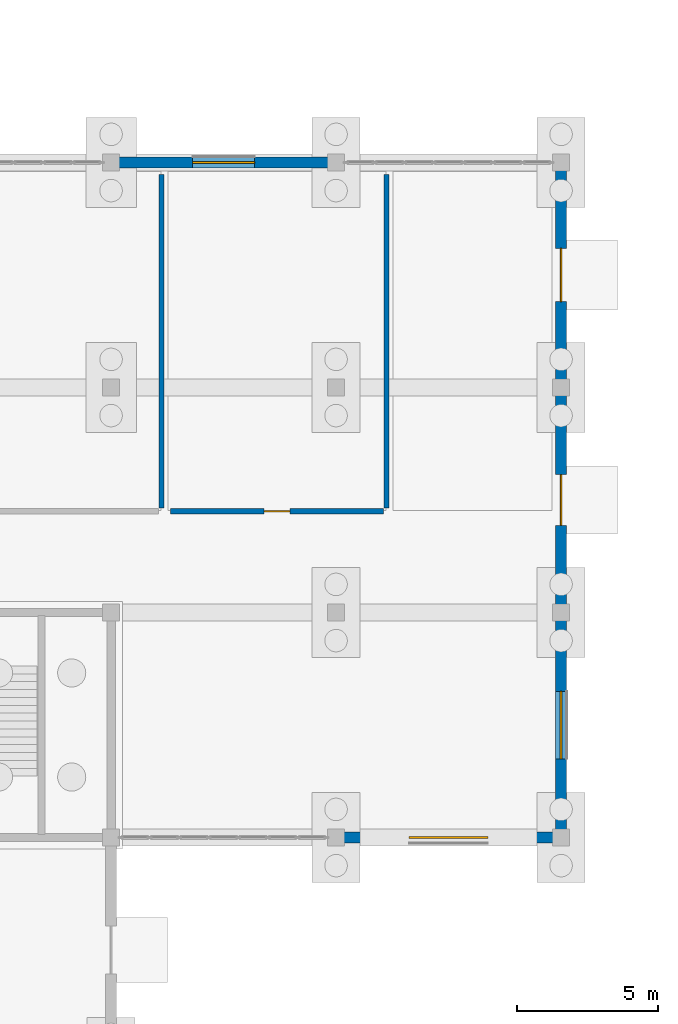
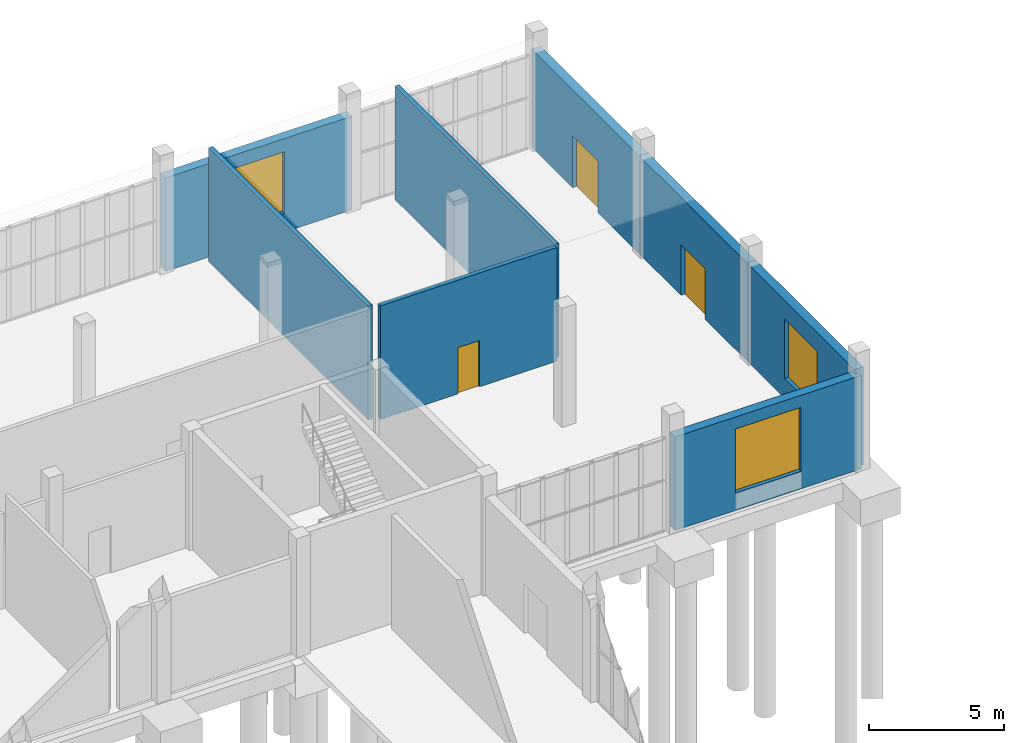
# One storey, part 49 of 69: 8 walls, 3 doors, 3 windows, 6 openings.
"""IFC4 building model written with IfcOpenShell, lengths in metres."""

from ifc_helpers import new_model, si_unit, direction, frame, frame_2d, origin, place, context, subcontext, project, spatial, rectangle, extrude, material, layer, layer_set, type_object, element, fill, save


model = new_model("IFC4")

# Units and contexts
model_context = context("Model", 3, precision=1e-05, world=origin(), true_north=direction((0.0, 1.0)))
body_context = subcontext(model_context, "Body", "Model", "MODEL_VIEW")
ifc_project = project(units=[si_unit("LENGTHUNIT", "METRE"), si_unit("AREAUNIT", "SQUARE_METRE"), si_unit("VOLUMEUNIT", "CUBIC_METRE"), si_unit("PLANEANGLEUNIT", "RADIAN"), si_unit("MASSUNIT", "GRAM", prefix="KILO")], contexts=[model_context])

# Site, building, storey
site_placement = place(None, origin())
site = spatial("IfcSite", under=ifc_project, at=site_placement, CompositionType="ELEMENT")
building_placement = place(site_placement, origin())
building = spatial("IfcBuilding", under=site, at=building_placement, Name="Solvane Community Centre", CompositionType="ELEMENT")
storey_placement = place(building_placement, origin())
storey = spatial("IfcBuildingStorey", under=building, at=storey_placement, Name="L00", CompositionType="ELEMENT", Elevation=0.0)

# Wall, opening, window
ifc_material_1 = material(Name="Terracotta clay masonry", Category="masonry")
ifc_layer_1 = layer(ifc_material_1, 0.3798828125)
ifc_layer_set_1 = layer_set([ifc_layer_1], Name="Terracotta clay masonry")
wall_type_1 = type_object("IfcWallType", Name="Art Deco Terracotta Plinth Wall 380mm [80x42dm]", PredefinedType="SOLIDWALL", material=ifc_layer_set_1)
wall_1_placement = place(storey_placement, frame((68.0, 110.0, 0.0), z_axis=(0.0, 0.0, 1.0), x_axis=(1.0, 0.0, 0.0)))
wall_1 = element("IfcWall", 1, at=wall_1_placement, inside=storey, type_object=wall_type_1, Name="Exterior Wall WL-EXT-L00-0035", PredefinedType="SOLIDWALL", context=body_context, shape_type="SweptSolid", body=[
    extrude(rectangle(XDim=8.0, YDim=0.3798828125, at=frame_2d((4.0, 0.0))), origin(), (0.0, 0.0, 1.0), 4.2451171875),
])
opening_1_placement = place(wall_1_placement, frame((2.89990234375, 0.0, 0.85009765625)))
opening_1 = element("IfcOpeningElement", 2, at=opening_1_placement, cuts=wall_1, Name="Opening WN01", PredefinedType="OPENING", context=body_context, shape_type="SweptSolid", body=[
    extrude(rectangle(XDim=2.199951171875, YDim=2.800048828125, at=frame_2d((1.10009765625, 1.39990234375))), frame((0.0, 0.199951171875, 0.0), z_axis=(0.0, -1.0, 0.0), x_axis=(1.0, 0.0, 0.0)), (0.0, 0.0, 1.0), 0.39990234375),
])
ifc_material_2 = material(Name="Tempered low-E double glazing", Category="glass")
window_type_1 = type_object("IfcWindowType", Name="Art Deco Tall Pier Window 2200x2800", PartitioningType="DOUBLE_PANEL_VERTICAL", PredefinedType="WINDOW", material=ifc_material_2)
window_1_placement = place(opening_1_placement, origin())
window_1 = element("IfcWindow", 3, at=window_1_placement, inside=storey, type_object=window_type_1, Name="L00-W011", OverallHeight=2.800048828125, OverallWidth=2.199951171875, PartitioningType="DOUBLE_PANEL_VERTICAL", PredefinedType="WINDOW", context=body_context, shape_type="SweptSolid", body=[
    extrude(rectangle(XDim=2.199951171875, YDim=2.800048828125, at=frame_2d((1.10009765625, 1.39990234375))), frame((0.0, 0.030029296875, 0.0), z_axis=(0.0, -1.0, 0.0), x_axis=(1.0, 0.0, 0.0)), (0.0, 0.0, 1.0), 0.06005859375),
])
fill(opening_1, window_1)

wall_2_placement = place(storey_placement, frame((84.0, 86.0, 0.0), z_axis=(0.0, 0.0, 1.0), x_axis=(-1.0, 0.0, 0.0)))
wall_2 = element("IfcWall", 4, at=wall_2_placement, inside=storey, type_object=wall_type_1, Name="Exterior Wall WL-EXT-L00-0039", PredefinedType="SOLIDWALL", context=body_context, shape_type="SweptSolid", body=[
    extrude(rectangle(XDim=8.0, YDim=0.3798828125, at=frame_2d((4.0, 0.0))), origin(), (0.0, 0.0, 1.0), 4.2451171875),
])
opening_2_placement = place(wall_2_placement, frame((2.60009765625, 0.0, 0.800048828125)))
opening_2 = element("IfcOpeningElement", 5, at=opening_2_placement, cuts=wall_2, Name="Opening WN10", PredefinedType="OPENING", context=body_context, shape_type="SweptSolid", body=[
    extrude(rectangle(XDim=2.800048828125, YDim=2.89990234375, at=frame_2d((1.39990234375, 1.449951171875))), frame((0.0, 0.199951171875, 0.0), z_axis=(0.0, -1.0, 0.0), x_axis=(1.0, 0.0, 0.0)), (0.0, 0.0, 1.0), 0.39990234375),
])
window_type_2 = type_object("IfcWindowType", Name="Boulevard Grand Shopfront Window 2800x2900", PartitioningType="TRIPLE_PANEL_VERTICAL", PredefinedType="WINDOW", material=ifc_material_2)
window_2_placement = place(opening_2_placement, origin())
window_2 = element("IfcWindow", 6, at=window_2_placement, inside=storey, type_object=window_type_2, Name="L00-W013", OverallHeight=2.89990234375, OverallWidth=2.800048828125, PartitioningType="TRIPLE_PANEL_VERTICAL", PredefinedType="WINDOW", context=body_context, shape_type="SweptSolid", body=[
    extrude(rectangle(XDim=2.800048828125, YDim=2.89990234375, at=frame_2d((1.39990234375, 1.449951171875))), frame((0.0, 0.030029296875, 0.0), z_axis=(0.0, -1.0, 0.0), x_axis=(1.0, 0.0, 0.0)), (0.0, 0.0, 1.0), 0.06005859375),
])
fill(opening_2, window_2)

# Wall, opening, door
ifc_layer_2 = layer(ifc_material_1, 0.3798828125)
ifc_layer_set_2 = layer_set([ifc_layer_2], Name="Terracotta clay masonry")
wall_type_2 = type_object("IfcWallType", Name="Art Deco Terracotta Plinth Wall 380mm [80x44dm]", PredefinedType="SOLIDWALL", material=ifc_layer_set_2)
wall_3_placement = place(storey_placement, frame((84.0, 110.0, 0.0), z_axis=(0.0, 0.0, 1.0), x_axis=(0.0, -1.0, 0.0)))
wall_3 = element("IfcWall", 7, at=wall_3_placement, inside=storey, type_object=wall_type_2, Name="Exterior Wall WL-EXT-L00-0036", PredefinedType="SOLIDWALL", context=body_context, shape_type="SweptSolid", body=[
    extrude(rectangle(XDim=8.0, YDim=0.3798828125, at=frame_2d((4.0, 0.0))), origin(), (0.0, 0.0, 1.0), 4.445068359375),
])
opening_3_placement = place(wall_3_placement, frame((3.050048828125, 0.0, 0.0)))
opening_3 = element("IfcOpeningElement", 8, at=opening_3_placement, cuts=wall_3, Name="Opening D06", PredefinedType="OPENING", context=body_context, shape_type="SweptSolid", body=[
    extrude(rectangle(XDim=1.89990234375, YDim=2.35009765625, at=frame_2d((0.949951171875, 1.175048828125))), frame((0.0, 0.199951171875, 0.0), z_axis=(0.0, -1.0, 0.0), x_axis=(1.0, 0.0, 0.0)), (0.0, 0.0, 1.0), 0.39990234375),
])
ifc_material_3 = material(Name="Anodised bronze aluminium AW-6063 T6", Category="aluminium")
door_type_1 = type_object("IfcDoorType", Name="Courtyard Cloister Double Door 1900x2350", OperationType="NOTDEFINED", PredefinedType="DOOR", material=ifc_material_3)
door_1_placement = place(opening_3_placement, origin())
door_1 = element("IfcDoor", 9, at=door_1_placement, inside=storey, type_object=door_type_1, Name="L00-ED15", OperationType="DOUBLE_DOOR_SINGLE_SWING", OverallHeight=2.35009765625, OverallWidth=1.89990234375, PredefinedType="DOOR", context=body_context, shape_type="SweptSolid", body=[
    extrude(rectangle(XDim=1.89990234375, YDim=2.35009765625, at=frame_2d((0.949951171875, 1.175048828125))), frame((0.0, 0.02490234375, 0.0), z_axis=(0.0, -1.0, 0.0), x_axis=(1.0, 0.0, 0.0)), (0.0, 0.0, 1.0), 0.050048828125),
])
fill(opening_3, door_1)

wall_4_placement = place(storey_placement, frame((84.0, 102.0, 0.0), z_axis=(0.0, 0.0, 1.0), x_axis=(0.0, -1.0, 0.0)))
wall_4 = element("IfcWall", 10, at=wall_4_placement, inside=storey, type_object=wall_type_2, Name="Exterior Wall WL-EXT-L00-0037", PredefinedType="SOLIDWALL", context=body_context, shape_type="SweptSolid", body=[
    extrude(rectangle(XDim=8.0, YDim=0.3798828125, at=frame_2d((4.0, 0.0))), origin(), (0.0, 0.0, 1.0), 4.445068359375),
])
opening_4_placement = place(wall_4_placement, frame((3.10009765625, 0.0, 0.0)))
opening_4 = element("IfcOpeningElement", 11, at=opening_4_placement, cuts=wall_4, Name="Opening D02", PredefinedType="OPENING", context=body_context, shape_type="SweptSolid", body=[
    extrude(rectangle(XDim=1.800048828125, YDim=2.300048828125, at=frame_2d((0.89990234375, 1.14990234375))), frame((0.0, 0.199951171875, 0.0), z_axis=(0.0, -1.0, 0.0), x_axis=(1.0, 0.0, 0.0)), (0.0, 0.0, 1.0), 0.39990234375),
])
door_type_2 = type_object("IfcDoorType", Name="Primary Civic Exit Pair 1800x2300", OperationType="NOTDEFINED", PredefinedType="DOOR", material=ifc_material_3)
door_2_placement = place(opening_4_placement, origin())
door_2 = element("IfcDoor", 12, at=door_2_placement, inside=storey, type_object=door_type_2, Name="L00-ED16", OperationType="DOUBLE_DOOR_SINGLE_SWING", OverallHeight=2.300048828125, OverallWidth=1.800048828125, PredefinedType="DOOR", context=body_context, shape_type="SweptSolid", body=[
    extrude(rectangle(XDim=1.800048828125, YDim=2.300048828125, at=frame_2d((0.89990234375, 1.14990234375))), frame((0.0, 0.02490234375, 0.0), z_axis=(0.0, -1.0, 0.0), x_axis=(1.0, 0.0, 0.0)), (0.0, 0.0, 1.0), 0.050048828125),
])
fill(opening_4, door_2)

# Wall, opening, window
wall_5_placement = place(storey_placement, frame((84.0, 94.0, 0.0), z_axis=(0.0, 0.0, 1.0), x_axis=(0.0, -1.0, 0.0)))
wall_5 = element("IfcWall", 13, at=wall_5_placement, inside=storey, type_object=wall_type_2, Name="Exterior Wall WL-EXT-L00-0038", PredefinedType="SOLIDWALL", context=body_context, shape_type="SweptSolid", body=[
    extrude(rectangle(XDim=8.0, YDim=0.3798828125, at=frame_2d((4.0, 0.0))), origin(), (0.0, 0.0, 1.0), 4.445068359375),
])
opening_5_placement = place(wall_5_placement, frame((2.800048828125, 0.0, 0.89990234375)))
opening_5 = element("IfcOpeningElement", 14, at=opening_5_placement, cuts=wall_5, Name="Opening WN11", PredefinedType="OPENING", context=body_context, shape_type="SweptSolid", body=[
    extrude(rectangle(XDim=2.39990234375, YDim=2.699951171875, at=frame_2d((1.199951171875, 1.35009765625))), frame((0.0, 0.199951171875, 0.0), z_axis=(0.0, -1.0, 0.0), x_axis=(1.0, 0.0, 0.0)), (0.0, 0.0, 1.0), 0.39990234375),
])
window_type_3 = type_object("IfcWindowType", Name="Boulevard Pier Window 2400x2700", PartitioningType="DOUBLE_PANEL_VERTICAL", PredefinedType="WINDOW", material=ifc_material_2)
window_3_placement = place(opening_5_placement, origin())
window_3 = element("IfcWindow", 15, at=window_3_placement, inside=storey, type_object=window_type_3, Name="L00-W012", OverallHeight=2.699951171875, OverallWidth=2.39990234375, PartitioningType="DOUBLE_PANEL_VERTICAL", PredefinedType="WINDOW", context=body_context, shape_type="SweptSolid", body=[
    extrude(rectangle(XDim=2.39990234375, YDim=2.699951171875, at=frame_2d((1.199951171875, 1.35009765625))), frame((0.0, 0.030029296875, 0.0), z_axis=(0.0, -1.0, 0.0), x_axis=(1.0, 0.0, 0.0)), (0.0, 0.0, 1.0), 0.06005859375),
])
fill(opening_5, window_3)

# Walls
ifc_material_4 = material(Name="Gypsum board partition")
ifc_layer_3 = layer(ifc_material_4, 0.179931640625)
ifc_layer_set_3 = layer_set([ifc_layer_3], Name="Gypsum board partition")
wall_type_3 = type_object("IfcWallType", Name="Protected Corridor Wall 180mm [119x52dm]", PredefinedType="PARTITIONING", material=ifc_layer_set_3)
for number, where, z_axis, x_axis, name in (
    (16, (69.800048828125, 97.719970703125, 0.0), (0.0, 0.0, 1.0), (0.0, 1.0, 0.0), "Interior Wall WL-INT-L00-0235"),
    (17, (77.800048828125, 97.719970703125, 0.0), (0.0, 0.0, 1.0), (0.0, 1.0, 0.0), "Interior Wall WL-INT-L00-0237"),
):
    element("IfcWall", number, at=place(storey_placement, frame(where, z_axis=z_axis, x_axis=x_axis)), inside=storey, type_object=wall_type_3, Name=name, PredefinedType="PARTITIONING", context=body_context, shape_type="SweptSolid", body=[
        extrude(rectangle(XDim=11.860107421875, YDim=0.179931640625, at=frame_2d((5.93017578125, 0.0))), origin(), (0.0, 0.0, 1.0), 5.159912109375),
    ])

# Wall, opening, door
ifc_layer_4 = layer(ifc_material_4, 0.179931640625)
ifc_layer_set_4 = layer_set([ifc_layer_4], Name="Gypsum board partition")
wall_type_4 = type_object("IfcWallType", Name="Protected Corridor Wall 180mm [76x52dm]", PredefinedType="PARTITIONING", material=ifc_layer_set_4)
wall_6_placement = place(storey_placement, frame((70.1201171875, 97.60009765625, 0.0), z_axis=(0.0, 0.0, 1.0), x_axis=(1.0, 0.0, 0.0)))
wall_6 = element("IfcWall", 18, at=wall_6_placement, inside=storey, type_object=wall_type_4, Name="Interior Wall WL-INT-L00-0236", PredefinedType="PARTITIONING", context=body_context, shape_type="SweptSolid", body=[
    extrude(rectangle(XDim=7.559814453125, YDim=0.179931640625, at=frame_2d((3.77978515625, 0.0))), origin(), (0.0, 0.0, 1.0), 5.159912109375),
])
opening_6_placement = place(wall_6_placement, frame((3.320068359375, 0.0, 0.0)))
opening_6 = element("IfcOpeningElement", 19, at=opening_6_placement, cuts=wall_6, Name="Opening ID04", PredefinedType="OPENING", context=body_context, shape_type="SweptSolid", body=[
    extrude(rectangle(XDim=0.919921875, YDim=2.10009765625, at=frame_2d((0.4599609375, 1.050048828125))), frame((0.0, 0.099853515625, 0.0), z_axis=(0.0, -1.0, 0.0), x_axis=(1.0, 0.0, 0.0)), (0.0, 0.0, 1.0), 0.199951171875),
])
door_type_3 = type_object("IfcDoorType", Name="Nursery & Studio Door 920x2100", OperationType="NOTDEFINED", PredefinedType="DOOR", material=ifc_material_3)
door_3_placement = place(opening_6_placement, origin())
door_3 = element("IfcDoor", 20, at=door_3_placement, inside=storey, type_object=door_type_3, Name="L00-D084", OperationType="SINGLE_SWING_RIGHT", OverallHeight=2.10009765625, OverallWidth=0.919921875, PredefinedType="DOOR", context=body_context, shape_type="SweptSolid", body=[
    extrude(rectangle(XDim=0.919921875, YDim=2.10009765625, at=frame_2d((0.4599609375, 1.050048828125))), frame((0.0, 0.02490234375, 0.0), z_axis=(0.0, -1.0, 0.0), x_axis=(1.0, 0.0, 0.0)), (0.0, 0.0, 1.0), 0.050048828125),
])
fill(opening_6, door_3)

save(model, "model.ifc")
